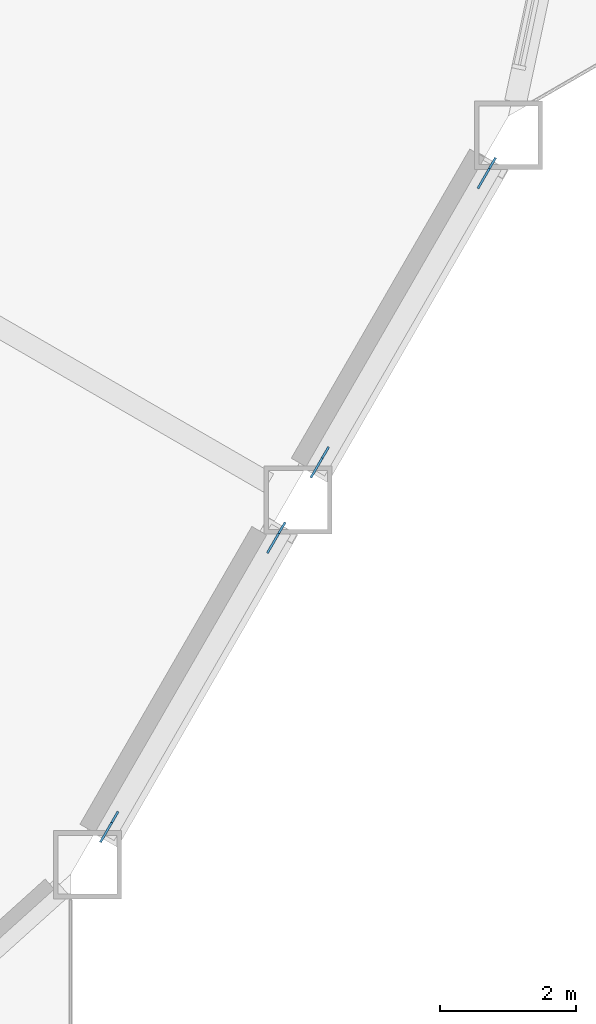
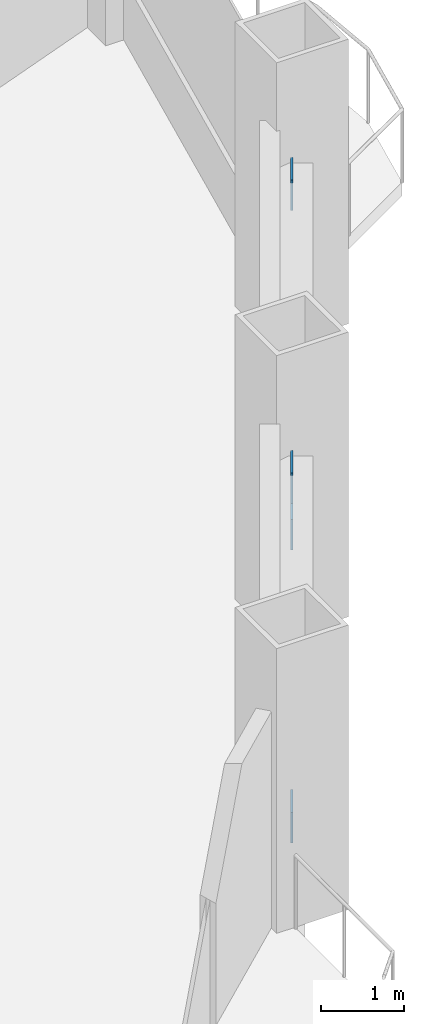
# One storey, part 15 of 21: 4 discrete accessories.
"""IFC4 building model written with IfcOpenShell, lengths in metres."""

from ifc_helpers import new_model, si_unit, direction, frame, origin, origin_2d, place, context, subcontext, project, spatial, rectangle, extrude, material, material_profile, profile_set, type_object, element, save


model = new_model("IFC4")

# Units and contexts
model_context = context("Model", 3, precision=1e-05, world=origin(), true_north=direction((0.0, 1.0)))
body_context = subcontext(model_context, "Body", "Model", "MODEL_VIEW")
ifc_project = project(units=[si_unit("LENGTHUNIT", "METRE"), si_unit("AREAUNIT", "SQUARE_METRE"), si_unit("VOLUMEUNIT", "CUBIC_METRE"), si_unit("PLANEANGLEUNIT", "RADIAN"), si_unit("MASSUNIT", "GRAM", prefix="KILO")], contexts=[model_context])

# Site, building, storey
site_placement = place(None, origin())
site = spatial("IfcSite", under=ifc_project, at=site_placement, CompositionType="ELEMENT")
building_placement = place(site_placement, origin())
building = spatial("IfcBuilding", under=site, at=building_placement, Name="Cormorant Prow Tower", CompositionType="ELEMENT")
storey_placement = place(building_placement, frame((0.0, 0.0, 72.0)))
storey = spatial("IfcBuildingStorey", under=building, at=storey_placement, Name="L15", CompositionType="ELEMENT", Elevation=72.0)

# Discrete accessories
ifc_material = material(Name="Structural steel ASTM A500 Gr C", Category="steel")
ifc_material_profile = material_profile(ifc_material, rectangle(XDim=0.031982421875, YDim=0.60791015625, at=origin_2d()), Name="Gusset plate 32x608")
ifc_profile_set = profile_set([ifc_material_profile], Name="Structural steel ASTM A500 Gr C")
discrete_accessory_type = type_object("IfcDiscreteAccessoryType", Name="Gusset plate 32x608", PredefinedType="BRACKET", material=ifc_profile_set)
discrete_accessory_1_placement = place(storey_placement, frame((25.232421875, -20.763427734375, 0.859375), z_axis=(-0.475651503409, -0.824369614413, -0.306871937683), x_axis=(0.866161185697, -0.499764745047, 0.0)))
element("IfcDiscreteAccessory", 1, at=discrete_accessory_1_placement, inside=storey, type_object=discrete_accessory_type, Name="Gusset plate GP1 L15.ESE00.g0", PredefinedType="BRACKET", context=body_context, shape_type="SweptSolid", body=[
    extrude(rectangle(XDim=0.031982421875, YDim=0.60791015625, at=origin_2d()), origin(), (0.0, 0.0, 1.0), 0.35009765625),
])
for number, where, z_axis, x_axis, name in (
    (2, (27.512939453125, -16.813232421875, 2.32958984375), (0.476464602218, 0.823872174553, 0.306946449452), (-0.865660382551, 0.500631703033, 0.0), "Gusset plate GP1 L15.ESE00.g1"),
    (3, (28.3173828125, -15.42041015625, 0.859375), (-0.476464602218, -0.823872174553, -0.306946449452), (0.865660382551, -0.500631703033, 0.0), "Gusset plate GP1 L15.ESE01.g0"),
):
    element("IfcDiscreteAccessory", number, at=place(storey_placement, frame(where, z_axis=z_axis, x_axis=x_axis)), inside=storey, type_object=discrete_accessory_type, Name=name, PredefinedType="BRACKET", context=body_context, shape_type="SweptSolid", body=[
        extrude(rectangle(XDim=0.031982421875, YDim=0.60791015625, at=origin_2d()), origin(), (0.0, 0.0, 1.0), 0.349853515625),
    ])
discrete_accessory_2_placement = place(storey_placement, frame((30.597900390625, -11.47021484375, 2.32958984375), z_axis=(0.475651503409, 0.824369614413, 0.306871937683), x_axis=(-0.866161185697, 0.499764745047, 0.0)))
element("IfcDiscreteAccessory", 4, at=discrete_accessory_2_placement, inside=storey, type_object=discrete_accessory_type, Name="Gusset plate GP1 L15.ESE01.g1", PredefinedType="BRACKET", context=body_context, shape_type="SweptSolid", body=[
    extrude(rectangle(XDim=0.031982421875, YDim=0.60791015625, at=origin_2d()), origin(), (0.0, 0.0, 1.0), 0.35009765625),
])

save(model, "model.ifc")
